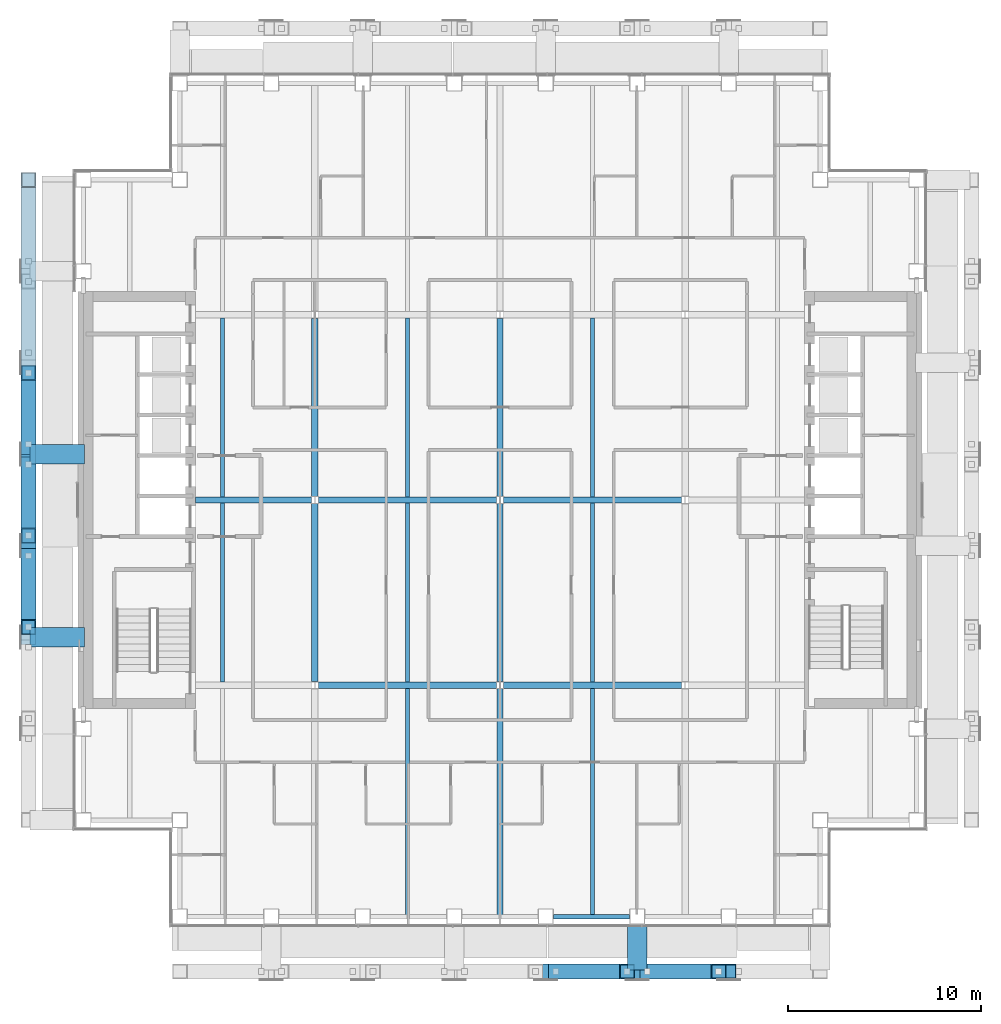
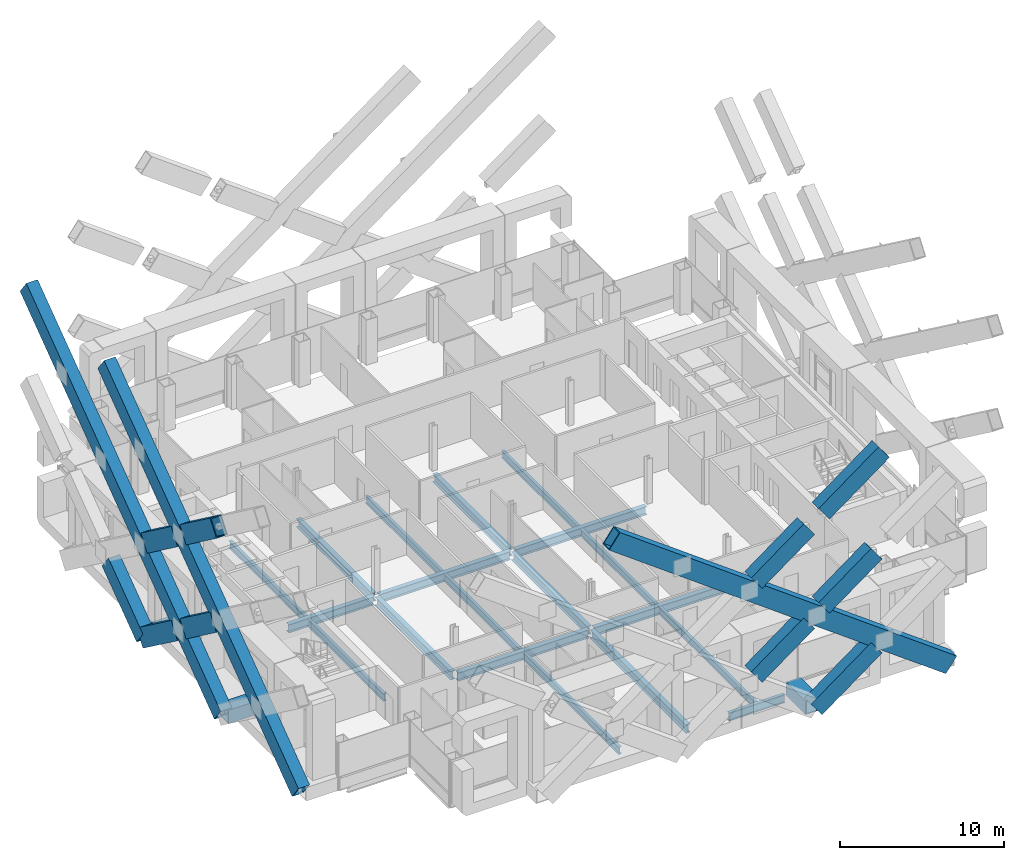
# One storey, part 5 of 25: 22 beams, 13 members.
"""IFC4 building model written with IfcOpenShell, lengths in metres."""

from ifc_helpers import new_model, si_unit, direction, frame, origin, origin_2d, place, context, subcontext, project, spatial, hollow_rectangle, i_section, extrude, material, material_profile, profile_set, type_object, element, save


model = new_model("IFC4")

# Units and contexts
model_context = context("Model", 3, precision=1e-05, world=origin(), true_north=direction((0.0, 1.0)))
body_context = subcontext(model_context, "Body", "Model", "MODEL_VIEW")
ifc_project = project(units=[si_unit("LENGTHUNIT", "METRE"), si_unit("AREAUNIT", "SQUARE_METRE"), si_unit("VOLUMEUNIT", "CUBIC_METRE"), si_unit("PLANEANGLEUNIT", "RADIAN"), si_unit("MASSUNIT", "GRAM", prefix="KILO")], contexts=[model_context])

# Site, building, storey
site_placement = place(None, origin())
site = spatial("IfcSite", under=ifc_project, at=site_placement, CompositionType="ELEMENT")
building_placement = place(site_placement, origin())
building = spatial("IfcBuilding", under=site, at=building_placement, Name="Cobrizo Arcos Hotel Tower", CompositionType="ELEMENT")
storey_placement = place(building_placement, frame((0.0, 0.0, 148.0)))
storey = spatial("IfcBuildingStorey", under=building, at=storey_placement, Name="L37", CompositionType="ELEMENT", Elevation=148.0)

# Beams
ifc_material_1 = material(Name="Steel ASTM A572 Grade 50", Category="steel")
ifc_material_profile_1 = material_profile(ifc_material_1, hollow_rectangle(XDim=1.0, YDim=1.0, WallThickness=0.06005859375, at=origin_2d()), Name="BOX 1000X1000X60")
ifc_profile_set_1 = profile_set([ifc_material_profile_1], Name="Steel ASTM A572 Grade 50")
beam_type_1 = type_object("IfcBeamType", Name="BOX 1000X1000X60 brace connector strut", PredefinedType="BEAM", material=ifc_profile_set_1)
beam_1_placement = place(storey_placement, frame((7.1142578125, -21.989990234375, 0.5), z_axis=(0.0, -1.0, 0.0), x_axis=(1.0, 0.0, 0.0)))
element("IfcBeam", 1, at=beam_1_placement, inside=storey, type_object=beam_type_1, Name="Perimeter brace stub BS1, zone Z3, south face, offset +7.11 m, L37", PredefinedType="BEAM", context=body_context, shape_type="SweptSolid", body=[
    extrude(hollow_rectangle(XDim=1.0, YDim=1.0, WallThickness=0.06005859375, at=origin_2d()), origin(), (0.0, 0.0, 1.0), 2.380126953125),
])
for number, where, z_axis, x_axis, name in (
    (2, (-21.550048828125, 2.371337890625, 0.5), (-1.0, 0.0, 0.0), (0.0, -1.0, 0.0), "Perimeter brace stub BS1, zone Z3, west face, offset +2.37 m, L37"),
    (3, (-21.550048828125, -7.1142578125, 0.5), (-1.0, 0.0, 0.0), (0.0, -1.0, 0.0), "Perimeter brace stub BS1, zone Z3, west face, offset -7.11 m, L37"),
):
    element("IfcBeam", number, at=place(storey_placement, frame(where, z_axis=z_axis, x_axis=x_axis)), inside=storey, type_object=beam_type_1, Name=name, PredefinedType="BEAM", context=body_context, shape_type="SweptSolid", body=[
        extrude(hollow_rectangle(XDim=1.0, YDim=1.0, WallThickness=0.06005859375, at=origin_2d()), origin(), (0.0, 0.0, 1.0), 2.820068359375),
    ])

# Members
ifc_material_profile_2 = material_profile(ifc_material_1, hollow_rectangle(XDim=0.800048828125, YDim=1.300048828125, WallThickness=0.06005859375, at=origin_2d()), Name="BOX 800X1300X60")
ifc_profile_set_2 = profile_set([ifc_material_profile_2], Name="Steel ASTM A572 Grade 50")
member_type = type_object("IfcMemberType", Name="BOX 800X1300X60 perimeter brace", PredefinedType="BRACE", material=ifc_profile_set_2)
for number, where, z_axis, x_axis, name in (
    (4, (16.60009765625, -24.449951171875, 0.5), (-0.804630052623, 0.0, 0.593776454918), (0.0, -1.0, 0.0), "Perimeter brace PBR3, zone Z3, south face, no. 05"),
    (5, (-24.449951171875, -7.1142578125, 0.5), (0.0, 0.804630052623, 0.593776454918), (-1.0, 0.0, 0.0), "Perimeter brace PBR3, zone Z3, west face, no. 03"),
    (6, (-24.449951171875, -16.60009765625, 0.5), (0.0, 0.804630052623, 0.593776454918), (-1.0, 0.0, 0.0), "Perimeter brace PBR3, zone Z3, west face, no. 05"),
):
    element("IfcMember", number, at=place(storey_placement, frame(where, z_axis=z_axis, x_axis=x_axis)), inside=storey, type_object=member_type, Name=name, PredefinedType="BRACE", context=body_context, shape_type="SweptSolid", body=[
        extrude(hollow_rectangle(XDim=0.800048828125, YDim=1.300048828125, WallThickness=0.06005859375, at=origin_2d()), origin(), (0.0, 0.0, 1.0), 29.472412109375),
    ])
member_1_placement = place(storey_placement, frame((2.89453125, -24.449951171875, 11.385986328125), z_axis=(0.804612164142, 0.0, 0.593800694943), x_axis=(0.0, 1.0, 0.0)))
element("IfcMember", 7, at=member_1_placement, inside=storey, type_object=member_type, Name="Perimeter brace PBR3, zone Z3, south face, no. 00c", PredefinedType="BRACE", context=body_context, shape_type="SweptSolid", body=[
    extrude(hollow_rectangle(XDim=0.800048828125, YDim=1.300048828125, WallThickness=0.06005859375, at=origin_2d()), origin(), (0.0, 0.0, 1.0), 4.59423828125),
])
member_2_placement = place(storey_placement, frame((7.637451171875, -24.449951171875, 14.885986328125), z_axis=(0.804623858684, 0.0, 0.593784848271), x_axis=(0.0, 1.0, 0.0)))
element("IfcMember", 8, at=member_2_placement, inside=storey, type_object=member_type, Name="Perimeter brace PBR3, zone Z3, south face, no. 00d", PredefinedType="BRACE", context=body_context, shape_type="SweptSolid", body=[
    extrude(hollow_rectangle(XDim=0.800048828125, YDim=1.300048828125, WallThickness=0.06005859375, at=origin_2d()), origin(), (0.0, 0.0, 1.0), 5.244384765625),
])
for number, where, z_axis, x_axis, name in (
    (9, (2.89453125, -24.449951171875, 4.385986328125), (0.804612164142, 0.0, 0.593800694943), (0.0, 1.0, 0.0), "Perimeter brace PBR3, zone Z3, south face, no. 02b"),
    (10, (7.637451171875, -24.449951171875, 7.885986328125), (0.804612164142, 0.0, 0.593800694943), (0.0, 1.0, 0.0), "Perimeter brace PBR3, zone Z3, south face, no. 02c"),
):
    element("IfcMember", number, at=place(storey_placement, frame(where, z_axis=z_axis, x_axis=x_axis)), inside=storey, type_object=member_type, Name=name, PredefinedType="BRACE", context=body_context, shape_type="SweptSolid", body=[
        extrude(hollow_rectangle(XDim=0.800048828125, YDim=1.300048828125, WallThickness=0.06005859375, at=origin_2d()), origin(), (0.0, 0.0, 1.0), 4.59423828125),
    ])
member_3_placement = place(storey_placement, frame((7.1142578125, -24.449951171875, 0.5), z_axis=(0.804623858684, 0.0, 0.593784848271), x_axis=(0.0, 1.0, 0.0)))
element("IfcMember", 11, at=member_3_placement, inside=storey, type_object=member_type, Name="Perimeter brace PBR3, zone Z3, south face, no. 04", PredefinedType="BRACE", context=body_context, shape_type="SweptSolid", body=[
    extrude(hollow_rectangle(XDim=0.800048828125, YDim=1.300048828125, WallThickness=0.06005859375, at=origin_2d()), origin(), (0.0, 0.0, 1.0), 5.244384765625),
])
member_4_placement = place(storey_placement, frame((-24.449951171875, 1.84814453125, 7.885986328125), z_axis=(0.0, -0.804593425363, 0.593826085536), x_axis=(1.0, 0.0, 0.0)))
element("IfcMember", 12, at=member_4_placement, inside=storey, type_object=member_type, Name="Perimeter brace PBR3, zone Z3, west face, no. 00b", PredefinedType="BRACE", context=body_context, shape_type="SweptSolid", body=[
    extrude(hollow_rectangle(XDim=0.800048828125, YDim=1.300048828125, WallThickness=0.06005859375, at=origin_2d()), origin(), (0.0, 0.0, 1.0), 4.593994140625),
])
member_5_placement = place(storey_placement, frame((-24.449951171875, -2.89453125, 11.385986328125), z_axis=(0.0, -0.804612164142, 0.593800694943), x_axis=(1.0, 0.0, 0.0)))
element("IfcMember", 13, at=member_5_placement, inside=storey, type_object=member_type, Name="Perimeter brace PBR3, zone Z3, west face, no. 00c", PredefinedType="BRACE", context=body_context, shape_type="SweptSolid", body=[
    extrude(hollow_rectangle(XDim=0.800048828125, YDim=1.300048828125, WallThickness=0.06005859375, at=origin_2d()), origin(), (0.0, 0.0, 1.0), 4.59423828125),
])
member_6_placement = place(storey_placement, frame((-24.449951171875, 2.371337890625, 0.5), z_axis=(0.0, 0.804623858684, 0.593784848271), x_axis=(-1.0, 0.0, 0.0)))
element("IfcMember", 14, at=member_6_placement, inside=storey, type_object=member_type, Name="Perimeter brace PBR3, zone Z3, west face, no. 01", PredefinedType="BRACE", context=body_context, shape_type="SweptSolid", body=[
    extrude(hollow_rectangle(XDim=0.800048828125, YDim=1.300048828125, WallThickness=0.06005859375, at=origin_2d()), origin(), (0.0, 0.0, 1.0), 5.244384765625),
])
member_7_placement = place(storey_placement, frame((-24.449951171875, 2.371337890625, 0.5), z_axis=(0.0, -0.804607444048, 0.593807090715), x_axis=(1.0, 0.0, 0.0)))
element("IfcMember", 15, at=member_7_placement, inside=storey, type_object=member_type, Name="Perimeter brace PBR3, zone Z3, west face, no. 02", PredefinedType="BRACE", context=body_context, shape_type="SweptSolid", body=[
    extrude(hollow_rectangle(XDim=0.800048828125, YDim=1.300048828125, WallThickness=0.06005859375, at=origin_2d()), origin(), (0.0, 0.0, 1.0), 5.244140625),
])
member_8_placement = place(storey_placement, frame((-24.449951171875, -2.89453125, 4.385986328125), z_axis=(0.0, -0.804612164142, 0.593800694943), x_axis=(1.0, 0.0, 0.0)))
element("IfcMember", 16, at=member_8_placement, inside=storey, type_object=member_type, Name="Perimeter brace PBR3, zone Z3, west face, no. 02b", PredefinedType="BRACE", context=body_context, shape_type="SweptSolid", body=[
    extrude(hollow_rectangle(XDim=0.800048828125, YDim=1.300048828125, WallThickness=0.06005859375, at=origin_2d()), origin(), (0.0, 0.0, 1.0), 4.59423828125),
])

# Beams
ifc_material_2 = material(Name="Steel ASTM A992 Grade 50", Category="steel")
ifc_material_profile_3 = material_profile(ifc_material_2, i_section(OverallWidth=0.209228515625, OverallDepth=0.533447265625, WebThickness=0.01025390625, FlangeThickness=0.015625, at=origin_2d()), Name="W21X62")
ifc_profile_set_3 = profile_set([ifc_material_profile_3], Name="Steel ASTM A992 Grade 50")
beam_type_2 = type_object("IfcBeamType", Name="W21X62 joist", PredefinedType="JOIST", material=ifc_profile_set_3)
for number, where, z_axis, x_axis, name in (
    (17, (-14.39990234375, -9.43603515625, -0.416748046875), (0.0, 1.0, 0.0), (-1.0, 0.0, 0.0), "Floor joist J1, L37, no. 004"),
    (18, (-14.39990234375, 0.163818359375, -0.416748046875), (0.0, 1.0, 0.0), (-1.0, 0.0, 0.0), "Floor joist J1, L37, no. 005"),
):
    element("IfcBeam", number, at=place(storey_placement, frame(where, z_axis=z_axis, x_axis=x_axis)), inside=storey, type_object=beam_type_2, Name=name, PredefinedType="JOIST", context=body_context, shape_type="SweptSolid", body=[
        extrude(i_section(OverallWidth=0.209228515625, OverallDepth=0.533447265625, WebThickness=0.01025390625, FlangeThickness=0.015625, at=origin_2d()), origin(), (0.0, 0.0, 1.0), 9.272216796875),
    ])
beam_2_placement = place(storey_placement, frame((-4.800048828125, -21.510009765625, -0.416748046875), z_axis=(0.0, 1.0, 0.0), x_axis=(-1.0, 0.0, 0.0)))
element("IfcBeam", 19, at=beam_2_placement, inside=storey, type_object=beam_type_2, Name="Floor joist J1, L37, no. 007", PredefinedType="JOIST", context=body_context, shape_type="SweptSolid", body=[
    extrude(i_section(OverallWidth=0.209228515625, OverallDepth=0.533447265625, WebThickness=0.01025390625, FlangeThickness=0.015625, at=origin_2d()), origin(), (0.0, 0.0, 1.0), 11.74609375),
])
for number, where, z_axis, x_axis, name in (
    (20, (-4.800048828125, -9.43603515625, -0.416748046875), (0.0, 1.0, 0.0), (-1.0, 0.0, 0.0), "Floor joist J1, L37, no. 008"),
    (21, (-4.800048828125, 0.163818359375, -0.416748046875), (0.0, 1.0, 0.0), (-1.0, 0.0, 0.0), "Floor joist J1, L37, no. 009"),
):
    element("IfcBeam", number, at=place(storey_placement, frame(where, z_axis=z_axis, x_axis=x_axis)), inside=storey, type_object=beam_type_2, Name=name, PredefinedType="JOIST", context=body_context, shape_type="SweptSolid", body=[
        extrude(i_section(OverallWidth=0.209228515625, OverallDepth=0.533447265625, WebThickness=0.01025390625, FlangeThickness=0.015625, at=origin_2d()), origin(), (0.0, 0.0, 1.0), 9.272216796875),
    ])
beam_3_placement = place(storey_placement, frame((4.800048828125, -21.510009765625, -0.416748046875), z_axis=(0.0, 1.0, 0.0), x_axis=(-1.0, 0.0, 0.0)))
element("IfcBeam", 22, at=beam_3_placement, inside=storey, type_object=beam_type_2, Name="Floor joist J1, L37, no. 011", PredefinedType="JOIST", context=body_context, shape_type="SweptSolid", body=[
    extrude(i_section(OverallWidth=0.209228515625, OverallDepth=0.533447265625, WebThickness=0.01025390625, FlangeThickness=0.015625, at=origin_2d()), origin(), (0.0, 0.0, 1.0), 11.74609375),
])
for number, where, z_axis, x_axis, name in (
    (23, (4.800048828125, -9.43603515625, -0.416748046875), (0.0, 1.0, 0.0), (-1.0, 0.0, 0.0), "Floor joist J1, L37, no. 012"),
    (24, (4.800048828125, 0.163818359375, -0.416748046875), (0.0, 1.0, 0.0), (-1.0, 0.0, 0.0), "Floor joist J1, L37, no. 013"),
):
    element("IfcBeam", number, at=place(storey_placement, frame(where, z_axis=z_axis, x_axis=x_axis)), inside=storey, type_object=beam_type_2, Name=name, PredefinedType="JOIST", context=body_context, shape_type="SweptSolid", body=[
        extrude(i_section(OverallWidth=0.209228515625, OverallDepth=0.533447265625, WebThickness=0.01025390625, FlangeThickness=0.015625, at=origin_2d()), origin(), (0.0, 0.0, 1.0), 9.272216796875),
    ])
ifc_material_profile_4 = material_profile(ifc_material_2, i_section(OverallWidth=0.32763671875, OverallDepth=0.622314453125, WebThickness=0.015380859375, FlangeThickness=0.0244140625, at=origin_2d()), Name="W24X131")
ifc_profile_set_4 = profile_set([ifc_material_profile_4], Name="Steel ASTM A992 Grade 50")
beam_type_3 = type_object("IfcBeamType", Name="W24X131 girder", PredefinedType="BEAM", material=ifc_profile_set_4)
for number, where, z_axis, x_axis, name in (
    (25, (-9.413330078125, -9.60009765625, -0.461181640625), (1.0, 0.0, 0.0), (0.0, 1.0, 0.0), "Floor girder G1, L37, no. 002"),
    (26, (0.186767578125, -9.60009765625, -0.461181640625), (1.0, 0.0, 0.0), (0.0, 1.0, 0.0), "Floor girder G1, L37, no. 003"),
):
    element("IfcBeam", number, at=place(storey_placement, frame(where, z_axis=z_axis, x_axis=x_axis)), inside=storey, type_object=beam_type_3, Name=name, PredefinedType="BEAM", context=body_context, shape_type="SweptSolid", body=[
        extrude(i_section(OverallWidth=0.32763671875, OverallDepth=0.622314453125, WebThickness=0.015380859375, FlangeThickness=0.0244140625, at=origin_2d()), origin(), (0.0, 0.0, 1.0), 9.2265625),
    ])
beam_4_placement = place(storey_placement, frame((-15.7900390625, 0.0, -0.461181640625), z_axis=(1.0, 0.0, 0.0), x_axis=(0.0, 1.0, 0.0)))
element("IfcBeam", 27, at=beam_4_placement, inside=storey, type_object=beam_type_3, Name="Floor girder G1, L37, no. 005", PredefinedType="BEAM", context=body_context, shape_type="SweptSolid", body=[
    extrude(i_section(OverallWidth=0.32763671875, OverallDepth=0.622314453125, WebThickness=0.015380859375, FlangeThickness=0.0244140625, at=origin_2d()), origin(), (0.0, 0.0, 1.0), 6.00341796875),
])
for number, where, z_axis, x_axis, name in (
    (28, (-9.413330078125, 0.0, -0.461181640625), (1.0, 0.0, 0.0), (0.0, 1.0, 0.0), "Floor girder G1, L37, no. 006"),
    (29, (0.186767578125, 0.0, -0.461181640625), (1.0, 0.0, 0.0), (0.0, 1.0, 0.0), "Floor girder G1, L37, no. 007"),
    (30, (-9.60009765625, -9.413330078125, -0.461181640625), (0.0, 1.0, 0.0), (-1.0, 0.0, 0.0), "Floor girder G1, L37, no. 014"),
    (31, (-9.60009765625, 0.186767578125, -0.461181640625), (0.0, 1.0, 0.0), (-1.0, 0.0, 0.0), "Floor girder G1, L37, no. 015"),
):
    element("IfcBeam", number, at=place(storey_placement, frame(where, z_axis=z_axis, x_axis=x_axis)), inside=storey, type_object=beam_type_3, Name=name, PredefinedType="BEAM", context=body_context, shape_type="SweptSolid", body=[
        extrude(i_section(OverallWidth=0.32763671875, OverallDepth=0.622314453125, WebThickness=0.015380859375, FlangeThickness=0.0244140625, at=origin_2d()), origin(), (0.0, 0.0, 1.0), 9.2265625),
    ])
beam_5_placement = place(storey_placement, frame((0.0, -21.510009765625, -0.461181640625), z_axis=(0.0, 1.0, 0.0), x_axis=(-1.0, 0.0, 0.0)))
element("IfcBeam", 32, at=beam_5_placement, inside=storey, type_object=beam_type_3, Name="Floor girder G1, L37, no. 017", PredefinedType="BEAM", context=body_context, shape_type="SweptSolid", body=[
    extrude(i_section(OverallWidth=0.32763671875, OverallDepth=0.622314453125, WebThickness=0.015380859375, FlangeThickness=0.0244140625, at=origin_2d()), origin(), (0.0, 0.0, 1.0), 11.723388671875),
])
for number, where, z_axis, x_axis, name in (
    (33, (0.0, -9.413330078125, -0.461181640625), (0.0, 1.0, 0.0), (-1.0, 0.0, 0.0), "Floor girder G1, L37, no. 018"),
    (34, (0.0, 0.186767578125, -0.461181640625), (0.0, 1.0, 0.0), (-1.0, 0.0, 0.0), "Floor girder G1, L37, no. 019"),
):
    element("IfcBeam", number, at=place(storey_placement, frame(where, z_axis=z_axis, x_axis=x_axis)), inside=storey, type_object=beam_type_3, Name=name, PredefinedType="BEAM", context=body_context, shape_type="SweptSolid", body=[
        extrude(i_section(OverallWidth=0.32763671875, OverallDepth=0.622314453125, WebThickness=0.015380859375, FlangeThickness=0.0244140625, at=origin_2d()), origin(), (0.0, 0.0, 1.0), 9.2265625),
    ])
ifc_material_profile_5 = material_profile(ifc_material_2, i_section(OverallWidth=0.228271484375, OverallDepth=0.607177734375, WebThickness=0.01123046875, FlangeThickness=0.017333984375, at=origin_2d()), Name="W24X76")
ifc_profile_set_5 = profile_set([ifc_material_profile_5], Name="Steel ASTM A992 Grade 50")
beam_type_4 = type_object("IfcBeamType", Name="W24X76 spandrel", PredefinedType="SPANDREL", material=ifc_profile_set_5)
beam_6_placement = place(storey_placement, frame((2.77099609375, -21.60009765625, -0.45361328125), z_axis=(1.0, 0.0, 0.0), x_axis=(0.0, 1.0, 0.0)))
element("IfcBeam", 35, at=beam_6_placement, inside=storey, type_object=beam_type_4, Name="Spandrel beam W24X76, L37, no. 005", PredefinedType="SPANDREL", context=body_context, shape_type="SweptSolid", body=[
    extrude(i_section(OverallWidth=0.228271484375, OverallDepth=0.607177734375, WebThickness=0.01123046875, FlangeThickness=0.017333984375, at=origin_2d()), origin(), (0.0, 0.0, 1.0), 3.943115234375),
])

save(model, "model.ifc")
